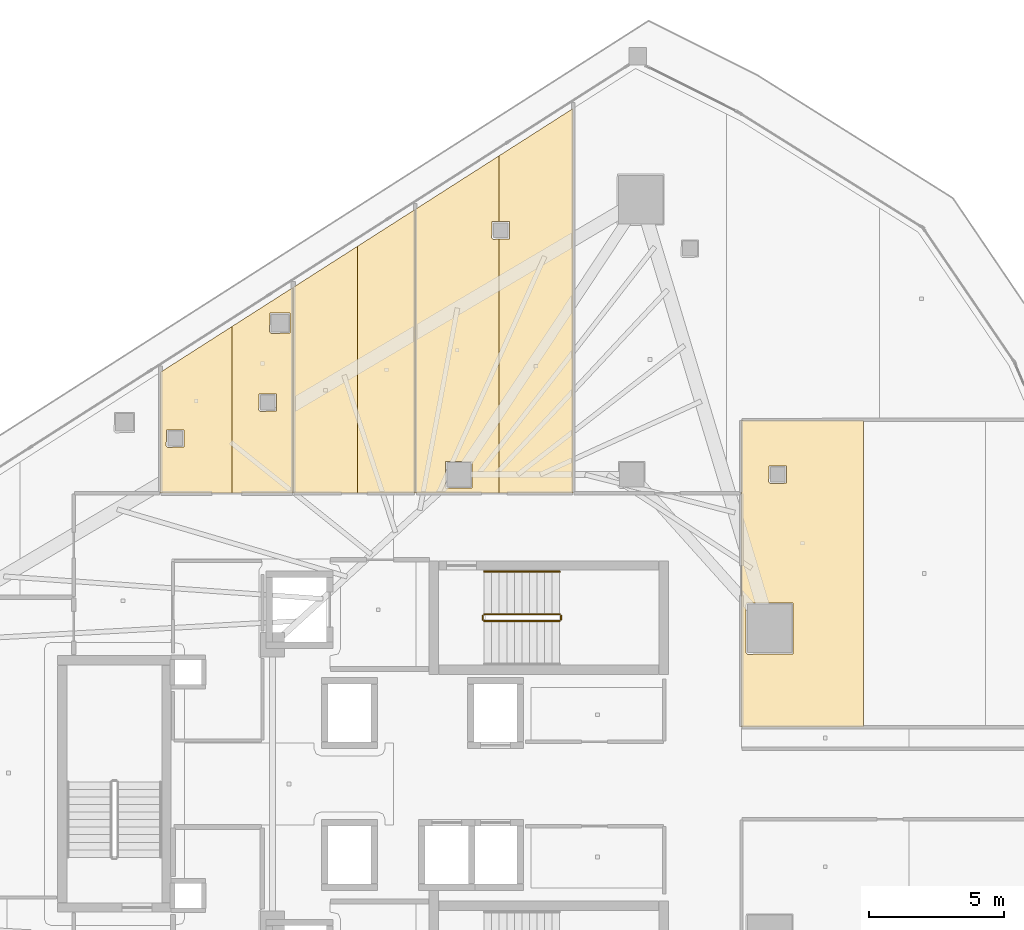
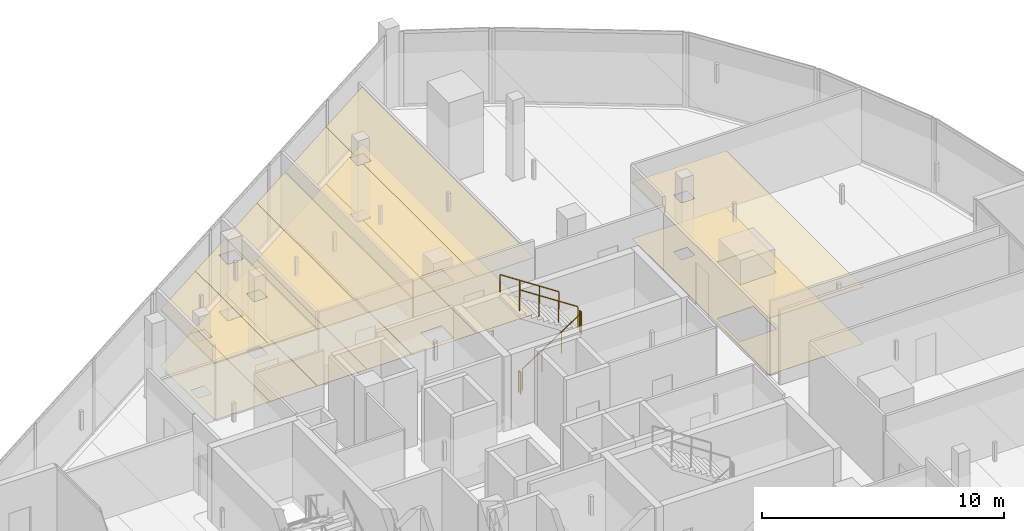
# One storey, part 35 of 36: 14 coverings, 5 railings.
"""IFC4 building model written with IfcOpenShell, lengths in metres."""

from ifc_helpers import new_model, si_unit, direction, frame, origin, origin_2d, place, context, subcontext, project, spatial, polyline, circle, outline, extrude, material, layer, layer_set, type_object, element, save


model = new_model("IFC4")

# Units and contexts
model_context = context("Model", 3, precision=1e-05, world=origin(), true_north=direction((0.0, 1.0)))
body_context = subcontext(model_context, "Body", "Model", "MODEL_VIEW")
ifc_project = project(units=[si_unit("LENGTHUNIT", "METRE"), si_unit("AREAUNIT", "SQUARE_METRE"), si_unit("VOLUMEUNIT", "CUBIC_METRE"), si_unit("PLANEANGLEUNIT", "RADIAN"), si_unit("MASSUNIT", "GRAM", prefix="KILO")], contexts=[model_context])

# Site, building, storey
site_placement = place(None, origin())
site = spatial("IfcSite", under=ifc_project, at=site_placement, CompositionType="ELEMENT")
building_placement = place(site_placement, origin())
building = spatial("IfcBuilding", under=site, at=building_placement, Name="Qorvath Tower", CompositionType="ELEMENT")
storey_placement = place(building_placement, frame((0.0, 0.0, 229.35009765625)))
storey = spatial("IfcBuildingStorey", under=building, at=storey_placement, Name="L53", CompositionType="ELEMENT", Elevation=229.35009765625)

# Coverings
ifc_material_1 = material(Name="Acoustic mineral fibre ceiling tile", Category="gypsum")
ifc_layer_1 = layer(ifc_material_1, 0.030029296875)
ifc_layer_set_1 = layer_set([ifc_layer_1], Name="COV-CEIL")
covering_type_1 = type_object("IfcCoveringType", Name="COV-CEIL", PredefinedType="CEILING", material=ifc_layer_set_1)
covering_1_placement = place(storey_placement, frame((0.0, 0.0, 2.849853515625)))
element("IfcCovering", 1, at=covering_1_placement, inside=storey, type_object=covering_type_1, Name="L53 Suspended Acoustic Ceiling 010", PredefinedType="CEILING", context=body_context, shape_type="SweptSolid", body=[
    extrude(outline(polyline([(-32.0048828125, 10.762939453125), (-32.0048828125, 16.93017578125), (-34.64501953125, 15.24267578125), (-34.64501953125, 10.762939453125), (-32.0048828125, 10.762939453125)]), holes=[polyline([(-34.439208984375, 12.517578125), (-34.421630859375, 13.10986328125), (-33.786865234375, 13.10986328125), (-33.786865234375, 12.47509765625), (-34.379150390625, 12.45751953125), (-34.439208984375, 12.517578125)])]), origin(), (0.0, 0.0, 1.0), 0.030029296875),
])
covering_2_placement = place(storey_placement, frame((0.0, 0.0, 2.849853515625)))
element("IfcCovering", 2, at=covering_2_placement, inside=storey, type_object=covering_type_1, Name="L53 Suspended Acoustic Ceiling 011", PredefinedType="CEILING", context=body_context, shape_type="SweptSolid", body=[
    extrude(outline(polyline([(-29.743896484375, 10.762939453125), (-29.743896484375, 18.375244140625), (-32.0048828125, 16.93017578125), (-32.0048828125, 10.762939453125), (-29.743896484375, 10.762939453125)]), holes=[polyline([(-30.60986328125, 16.734619140625), (-30.59228515625, 17.427001953125), (-29.857421875, 17.427001953125), (-29.857421875, 16.692138671875), (-30.5498046875, 16.674560546875), (-30.60986328125, 16.734619140625)]), polyline([(-31.01220703125, 13.849365234375), (-30.99462890625, 14.441650390625), (-30.35986328125, 14.441650390625), (-30.35986328125, 13.806884765625), (-30.9521484375, 13.789306640625), (-31.01220703125, 13.849365234375)])]), origin(), (0.0, 0.0, 1.0), 0.030029296875),
])
covering_3_placement = place(storey_placement, frame((0.0, 0.0, 2.849853515625)))
element("IfcCovering", 3, at=covering_3_placement, inside=storey, type_object=covering_type_1, Name="L53 Suspended Acoustic Ceiling 012", PredefinedType="CEILING", context=body_context, shape_type="SweptSolid", body=[
    extrude(outline(polyline([(-29.725830078125, 10.762939453125), (-27.3525390625, 10.762939453125), (-27.3525390625, 19.903564453125), (-29.725830078125, 18.38671875), (-29.725830078125, 10.762939453125)])), origin(), (0.0, 0.0, 1.0), 0.030029296875),
])
covering_4_placement = place(storey_placement, frame((0.0, 0.0, 2.849853515625)))
element("IfcCovering", 4, at=covering_4_placement, inside=storey, type_object=covering_type_1, Name="L53 Suspended Acoustic Ceiling 013", PredefinedType="CEILING", context=body_context, shape_type="SweptSolid", body=[
    extrude(outline(polyline([(-27.3525390625, 19.903564453125), (-27.3525390625, 10.762939453125), (-25.218017578125, 10.762939453125), (-25.218017578125, 21.267822265625), (-27.3525390625, 19.903564453125)])), origin(), (0.0, 0.0, 1.0), 0.030029296875),
])
covering_5_placement = place(storey_placement, frame((0.0, 0.0, 2.849853515625)))
element("IfcCovering", 5, at=covering_5_placement, inside=storey, type_object=covering_type_1, Name="L53 Suspended Acoustic Ceiling 014", PredefinedType="CEILING", context=body_context, shape_type="SweptSolid", body=[
    extrude(outline(polyline([(-25.199951171875, 10.762939453125), (-22.124267578125, 10.762939453125), (-22.124267578125, 20.166015625), (-22.328125, 20.159912109375), (-22.38818359375, 20.219970703125), (-22.37060546875, 20.812255859375), (-22.124267578125, 20.812255859375), (-22.124267578125, 23.2451171875), (-25.199951171875, 21.279296875), (-25.199951171875, 10.762939453125)]), holes=[polyline([(-24.092529296875, 10.95751953125), (-24.092529296875, 11.9423828125), (-23.107666015625, 11.9423828125), (-23.107666015625, 10.95751953125), (-24.092529296875, 10.95751953125)])]), origin(), (0.0, 0.0, 1.0), 0.030029296875),
])
covering_6_placement = place(storey_placement, frame((0.0, 0.0, 2.849853515625)))
element("IfcCovering", 6, at=covering_6_placement, inside=storey, type_object=covering_type_1, Name="L53 Suspended Acoustic Ceiling 015", PredefinedType="CEILING", context=body_context, shape_type="SweptSolid", body=[
    extrude(outline(polyline([(-22.124267578125, 23.2451171875), (-22.124267578125, 20.812255859375), (-21.73583984375, 20.812255859375), (-21.73583984375, 20.177490234375), (-22.124267578125, 20.166015625), (-22.124267578125, 10.762939453125), (-19.379150390625, 10.762939453125), (-19.379150390625, 24.999755859375), (-22.124267578125, 23.2451171875)])), origin(), (0.0, 0.0, 1.0), 0.030029296875),
])
covering_7_placement = place(storey_placement, frame((0.0, 0.0, 2.849853515625)))
element("IfcCovering", 7, at=covering_7_placement, inside=storey, type_object=covering_type_1, Name="L53 Suspended Acoustic Ceiling 034", PredefinedType="CEILING", context=body_context, shape_type="SweptSolid", body=[
    extrude(outline(polyline([(-8.626953125, 2.1083984375), (-8.626953125, 13.4619140625), (-13.136962890625, 13.458740234375), (-13.136962890625, 2.1083984375), (-8.626953125, 2.1083984375)]), holes=[polyline([(-12.981689453125, 4.85791015625), (-12.964111328125, 6.700439453125), (-11.2294921875, 6.700439453125), (-11.2294921875, 4.8154296875), (-12.921875, 4.7978515625), (-12.981689453125, 4.85791015625)]), polyline([(-12.135009765625, 11.175048828125), (-12.117431640625, 11.767333984375), (-11.482666015625, 11.767333984375), (-11.482666015625, 11.132568359375), (-12.074951171875, 11.114990234375), (-12.135009765625, 11.175048828125)])]), origin(), (0.0, 0.0, 1.0), 0.030029296875),
])
ifc_material_2 = material(Name="Low-VOC modular carpet tile", Category="textile")
ifc_layer_2 = layer(ifc_material_2, 0.014892578125)
ifc_layer_set_2 = layer_set([ifc_layer_2], Name="COV-FLOOR-CPT")
covering_type_2 = type_object("IfcCoveringType", Name="COV-FLOOR-CPT", PredefinedType="FLOORING", material=ifc_layer_set_2)
covering_8_placement = place(storey_placement, origin())
element("IfcCovering", 8, at=covering_8_placement, inside=storey, type_object=covering_type_2, Name="L53 Floor Finish 010", PredefinedType="FLOORING", context=body_context, shape_type="SweptSolid", body=[
    extrude(outline(polyline([(-32.0048828125, 10.762939453125), (-32.0048828125, 16.93017578125), (-34.64501953125, 15.24267578125), (-34.64501953125, 10.762939453125), (-32.0048828125, 10.762939453125)]), holes=[polyline([(-34.439208984375, 12.517578125), (-34.421630859375, 13.10986328125), (-33.786865234375, 13.10986328125), (-33.786865234375, 12.47509765625), (-34.379150390625, 12.45751953125), (-34.439208984375, 12.517578125)])]), origin(), (0.0, 0.0, 1.0), 0.014892578125),
])
covering_9_placement = place(storey_placement, origin())
element("IfcCovering", 9, at=covering_9_placement, inside=storey, type_object=covering_type_2, Name="L53 Floor Finish 011", PredefinedType="FLOORING", context=body_context, shape_type="SweptSolid", body=[
    extrude(outline(polyline([(-29.743896484375, 10.762939453125), (-29.743896484375, 18.375244140625), (-32.0048828125, 16.93017578125), (-32.0048828125, 10.762939453125), (-29.743896484375, 10.762939453125)]), holes=[polyline([(-30.60986328125, 16.734619140625), (-30.59228515625, 17.427001953125), (-29.857421875, 17.427001953125), (-29.857421875, 16.692138671875), (-30.5498046875, 16.674560546875), (-30.60986328125, 16.734619140625)]), polyline([(-31.01220703125, 13.849365234375), (-30.99462890625, 14.441650390625), (-30.35986328125, 14.441650390625), (-30.35986328125, 13.806884765625), (-30.9521484375, 13.789306640625), (-31.01220703125, 13.849365234375)])]), origin(), (0.0, 0.0, 1.0), 0.014892578125),
])
covering_10_placement = place(storey_placement, origin())
element("IfcCovering", 10, at=covering_10_placement, inside=storey, type_object=covering_type_2, Name="L53 Floor Finish 012", PredefinedType="FLOORING", context=body_context, shape_type="SweptSolid", body=[
    extrude(outline(polyline([(-29.725830078125, 10.762939453125), (-27.3525390625, 10.762939453125), (-27.3525390625, 19.903564453125), (-29.725830078125, 18.38671875), (-29.725830078125, 10.762939453125)])), origin(), (0.0, 0.0, 1.0), 0.014892578125),
])
covering_11_placement = place(storey_placement, origin())
element("IfcCovering", 11, at=covering_11_placement, inside=storey, type_object=covering_type_2, Name="L53 Floor Finish 013", PredefinedType="FLOORING", context=body_context, shape_type="SweptSolid", body=[
    extrude(outline(polyline([(-27.3525390625, 19.903564453125), (-27.3525390625, 10.762939453125), (-25.218017578125, 10.762939453125), (-25.218017578125, 21.267822265625), (-27.3525390625, 19.903564453125)])), origin(), (0.0, 0.0, 1.0), 0.014892578125),
])
covering_12_placement = place(storey_placement, origin())
element("IfcCovering", 12, at=covering_12_placement, inside=storey, type_object=covering_type_2, Name="L53 Floor Finish 014", PredefinedType="FLOORING", context=body_context, shape_type="SweptSolid", body=[
    extrude(outline(polyline([(-25.199951171875, 10.762939453125), (-22.124267578125, 10.762939453125), (-22.124267578125, 20.166015625), (-22.328125, 20.159912109375), (-22.38818359375, 20.219970703125), (-22.37060546875, 20.812255859375), (-22.124267578125, 20.812255859375), (-22.124267578125, 23.2451171875), (-25.199951171875, 21.279296875), (-25.199951171875, 10.762939453125)]), holes=[polyline([(-24.092529296875, 10.95751953125), (-24.092529296875, 11.9423828125), (-23.107666015625, 11.9423828125), (-23.107666015625, 10.95751953125), (-24.092529296875, 10.95751953125)])]), origin(), (0.0, 0.0, 1.0), 0.014892578125),
])
covering_13_placement = place(storey_placement, origin())
element("IfcCovering", 13, at=covering_13_placement, inside=storey, type_object=covering_type_2, Name="L53 Floor Finish 015", PredefinedType="FLOORING", context=body_context, shape_type="SweptSolid", body=[
    extrude(outline(polyline([(-22.124267578125, 23.2451171875), (-22.124267578125, 20.812255859375), (-21.73583984375, 20.812255859375), (-21.73583984375, 20.177490234375), (-22.124267578125, 20.166015625), (-22.124267578125, 10.762939453125), (-19.379150390625, 10.762939453125), (-19.379150390625, 24.999755859375), (-22.124267578125, 23.2451171875)])), origin(), (0.0, 0.0, 1.0), 0.014892578125),
])
covering_14_placement = place(storey_placement, origin())
element("IfcCovering", 14, at=covering_14_placement, inside=storey, type_object=covering_type_2, Name="L53 Floor Finish 034", PredefinedType="FLOORING", context=body_context, shape_type="SweptSolid", body=[
    extrude(outline(polyline([(-8.626953125, 2.1083984375), (-8.626953125, 13.4619140625), (-13.136962890625, 13.458740234375), (-13.136962890625, 2.1083984375), (-8.626953125, 2.1083984375)]), holes=[polyline([(-12.981689453125, 4.85791015625), (-12.964111328125, 6.700439453125), (-11.2294921875, 6.700439453125), (-11.2294921875, 4.8154296875), (-12.921875, 4.7978515625), (-12.981689453125, 4.85791015625)]), polyline([(-12.135009765625, 11.175048828125), (-12.117431640625, 11.767333984375), (-11.482666015625, 11.767333984375), (-11.482666015625, 11.132568359375), (-12.074951171875, 11.114990234375), (-12.135009765625, 11.175048828125)])]), origin(), (0.0, 0.0, 1.0), 0.014892578125),
])

# Railings
ifc_material_3 = material(Name="Painted galvanised steel", Category="steel")
railing_type_1 = type_object("IfcRailingType", Name="RL-STR-GRD", PredefinedType="GUARDRAIL", material=ifc_material_3)
railing_1_placement = place(storey_placement, frame((-22.669921875, 6.030029296875, 0.18408203125)))
element("IfcRailing", 15, at=railing_1_placement, inside=storey, type_object=railing_type_1, Name="L53 TS1 stair guard 1", PredefinedType="GUARDRAIL", context=body_context, shape_type="SweptSolid", body=[
    extrude(circle(Radius=0.02392578125, at=origin_2d()), frame((0.0, 0.0, 1.076171875), z_axis=(0.835575518608, 0.0, 0.549375602573), x_axis=(0.0, 1.0, 0.0)), (0.0, 0.0, 1.0), 3.350830078125),
    extrude(circle(Radius=0.02099609375, at=origin_2d()), origin(), (0.0, 0.0, 1.0), 1.052001953125),
    extrude(circle(Radius=0.02099609375, at=origin_2d()), frame((0.933349609375, 0.0, 0.613525390625)), (0.0, 0.0, 1.0), 1.052001953125),
    extrude(circle(Radius=0.02099609375, at=origin_2d()), frame((1.866455078125, 0.0, 1.227294921875)), (0.0, 0.0, 1.0), 1.052001953125),
    extrude(circle(Radius=0.02099609375, at=origin_2d()), frame((2.7998046875, 0.0, 1.8408203125)), (0.0, 0.0, 1.0), 1.052001953125),
])
railing_2_placement = place(storey_placement, frame((-19.820068359375, 6.080078125, 2.02490234375)))
element("IfcRailing", 16, at=railing_2_placement, inside=storey, type_object=railing_type_1, Name="L53 TS1 stair guard 2", PredefinedType="GUARDRAIL", context=body_context, shape_type="SweptSolid", body=[
    extrude(circle(Radius=0.02392578125, at=origin_2d()), frame((0.0, 0.0, 1.076171875), z_axis=(0.0, 1.0, 0.0), x_axis=(-1.0, 0.0, 0.0)), (0.0, 0.0, 1.0), 0.14990234375),
    extrude(circle(Radius=0.02099609375, at=origin_2d()), origin(), (0.0, 0.0, 1.0), 1.052001953125),
    extrude(circle(Radius=0.02099609375, at=origin_2d()), frame((0.0, 0.14990234375, 0.0)), (0.0, 0.0, 1.0), 1.052001953125),
])
railing_3_placement = place(storey_placement, frame((-19.8701171875, 6.280029296875, 2.208984375)))
element("IfcRailing", 17, at=railing_3_placement, inside=storey, type_object=railing_type_1, Name="L53 TS1 stair guard 3", PredefinedType="GUARDRAIL", context=body_context, shape_type="SweptSolid", body=[
    extrude(circle(Radius=0.02392578125, at=origin_2d()), frame((0.0, 0.0, 1.076171875), z_axis=(-0.835575518608, 0.0, 0.549375602573), x_axis=(0.0, -1.0, 0.0)), (0.0, 0.0, 1.0), 3.350830078125),
    extrude(circle(Radius=0.02099609375, at=origin_2d()), origin(), (0.0, 0.0, 1.0), 1.052001953125),
    extrude(circle(Radius=0.02099609375, at=origin_2d()), frame((-0.933349609375, 0.0, 0.613525390625)), (0.0, 0.0, 1.0), 1.052001953125),
    extrude(circle(Radius=0.02099609375, at=origin_2d()), frame((-1.866455078125, 0.0, 1.227294921875)), (0.0, 0.0, 1.0), 1.052001953125),
    extrude(circle(Radius=0.02099609375, at=origin_2d()), frame((-2.7998046875, 0.0, 1.8408203125)), (0.0, 0.0, 1.0), 1.052001953125),
])
railing_4_placement = place(storey_placement, frame((-22.719970703125, 6.080078125, 0.0)))
element("IfcRailing", 18, at=railing_4_placement, inside=storey, type_object=railing_type_1, Name="L53 TS1 stair guard 4", PredefinedType="GUARDRAIL", context=body_context, shape_type="SweptSolid", body=[
    extrude(circle(Radius=0.02392578125, at=origin_2d()), frame((0.0, 0.0, 1.076171875), z_axis=(0.0, 1.0, 0.0), x_axis=(-1.0, 0.0, 0.0)), (0.0, 0.0, 1.0), 0.14990234375),
    extrude(circle(Radius=0.02099609375, at=origin_2d()), origin(), (0.0, 0.0, 1.0), 1.052001953125),
    extrude(circle(Radius=0.02099609375, at=origin_2d()), frame((0.0, 0.14990234375, 0.0)), (0.0, 0.0, 1.0), 1.052001953125),
])
ifc_material_4 = material(Name="Brushed stainless steel AISI 304", Category="steel")
railing_type_2 = type_object("IfcRailingType", Name="RL-STR-HND", PredefinedType="HANDRAIL", material=ifc_material_4)
railing_5_placement = place(storey_placement, frame((-19.8701171875, 7.860107421875, 2.208984375)))
element("IfcRailing", 19, at=railing_5_placement, inside=storey, type_object=railing_type_2, Name="L53 TS1 stair handrail 2", PredefinedType="HANDRAIL", context=body_context, shape_type="SweptSolid", body=[
    extrude(circle(Radius=0.02392578125, at=origin_2d()), frame((0.0, 0.0, 0.8759765625), z_axis=(-0.835575518608, 0.0, 0.549375602573), x_axis=(0.0, -1.0, 0.0)), (0.0, 0.0, 1.0), 3.350830078125),
    extrude(circle(Radius=0.02099609375, at=origin_2d()), origin(), (0.0, 0.0, 1.0), 0.851806640625),
    extrude(circle(Radius=0.02099609375, at=origin_2d()), frame((-0.933349609375, 0.0, 0.613525390625)), (0.0, 0.0, 1.0), 0.851806640625),
    extrude(circle(Radius=0.02099609375, at=origin_2d()), frame((-1.866455078125, 0.0, 1.227294921875)), (0.0, 0.0, 1.0), 0.851806640625),
    extrude(circle(Radius=0.02099609375, at=origin_2d()), frame((-2.7998046875, 0.0, 1.8408203125)), (0.0, 0.0, 1.0), 0.851806640625),
])

save(model, "model.ifc")
